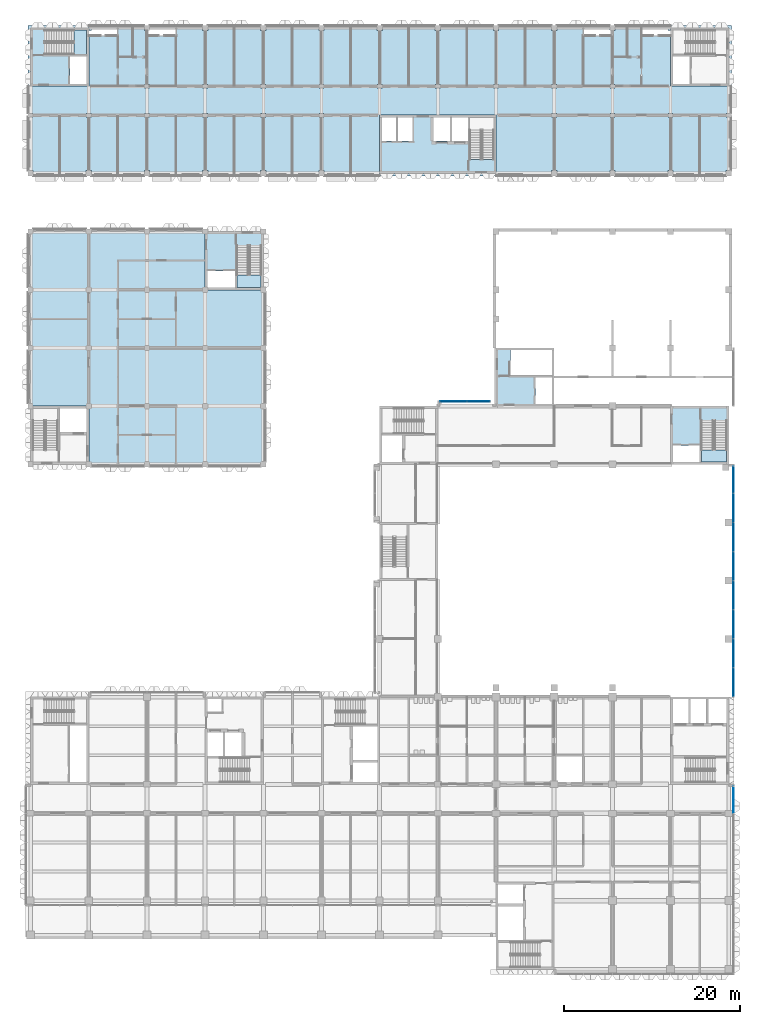
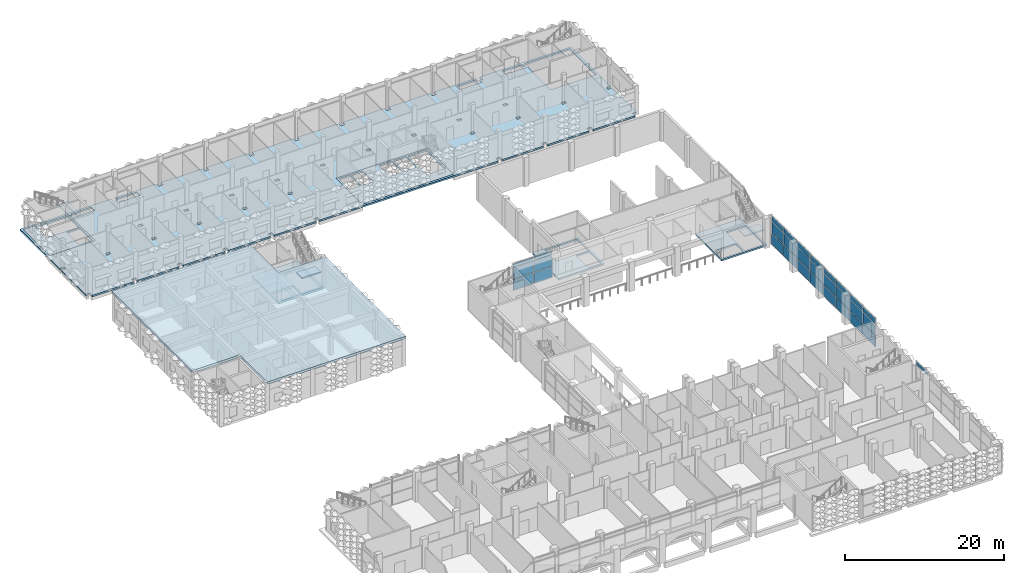
# One storey, part 24 of 87: 31 plates, 10 slabs, 6 elements without a shape of their own.
"""IFC4 building model written with IfcOpenShell, lengths in metres."""

from ifc_helpers import new_model, si_unit, direction, frame, origin, origin_2d, place, context, subcontext, project, spatial, polyline, rectangle, outline, extrude, material, layer, layer_set, type_object, element, aggregate, save


model = new_model("IFC4")

# Units and contexts
model_context = context("Model", 3, precision=1e-05, world=origin(), true_north=direction((0.0, 1.0)))
body_context = subcontext(model_context, "Body", "Model", "MODEL_VIEW")
ifc_project = project(units=[si_unit("LENGTHUNIT", "METRE"), si_unit("AREAUNIT", "SQUARE_METRE"), si_unit("VOLUMEUNIT", "CUBIC_METRE"), si_unit("PLANEANGLEUNIT", "RADIAN"), si_unit("MASSUNIT", "GRAM", prefix="KILO")], contexts=[model_context])

# Site, building, storey
site_placement = place(None, origin())
site = spatial("IfcSite", under=ifc_project, at=site_placement, CompositionType="ELEMENT")
building_placement = place(site_placement, origin())
building = spatial("IfcBuilding", under=site, at=building_placement, Name="Lantern Court Research Institute", CompositionType="ELEMENT")
storey_placement = place(building_placement, frame((0.0, 0.0, 5.39990234375)))
storey = spatial("IfcBuildingStorey", under=building, at=storey_placement, Name="L01", CompositionType="ELEMENT", Elevation=5.39990234375)

# Slab
ifc_material_1 = material(Name="Concrete C35/45", Category="concrete")
ifc_layer_1 = layer(ifc_material_1, 0.35009765625)
ifc_layer_set_1 = layer_set([ifc_layer_1], Name="Concrete C35/45")
slab_type_1 = type_object("IfcSlabType", Name="Clean room floor slab 350", PredefinedType="FLOOR", material=ifc_layer_set_1)
slab_1_placement = place(storey_placement, frame((0.0, 0.0, 4.150146484375)))
element("IfcSlab", 1, at=slab_1_placement, inside=storey, type_object=slab_type_1, Name="Clean room floor slab L02", PredefinedType="FLOOR", context=body_context, shape_type="SweptSolid", body=[
    extrude(outline(polyline([(19.800048828125, 76.199951171875), (19.800048828125, 69.300048828125), (26.699951171875, 69.300048828125), (26.699951171875, 49.199951171875), (6.60009765625, 49.199951171875), (6.60009765625, 56.10009765625), (-0.300048828125, 56.10009765625), (-0.300048828125, 76.199951171875), (19.800048828125, 76.199951171875)])), origin(), (0.0, 0.0, 1.0), 0.349853515625),
])

# Curtain wall, plates
ifc_material_2 = material(Name="Aluminium alloy 6063-T6", Category="aluminium")
curtain_wall_type_1 = type_object("IfcCurtainWallType", Name="Curtain wall 26200 x 4500 x 150 aluminium frame", PredefinedType="NOTDEFINED", material=ifc_material_2)
curtain_wall_1_placement = place(storey_placement, origin())
curtain_wall_1 = element("IfcCurtainWall", 2, at=curtain_wall_1_placement, inside=storey, type_object=curtain_wall_type_1, Name="Curtain wall CW017", PredefinedType="NOTDEFINED")
ifc_material_3 = material(Name="Fire-resisting insulated aluminium spandrel panel", Category="aluminium")
ifc_layer_2 = layer(ifc_material_3, 0.1201171875)
ifc_layer_set_2 = layer_set([ifc_layer_2], Name="Fire-resisting insulated aluminium spandrel panel")
plate_type_1 = type_object("IfcPlateType", Name="Fire-resisting spandrel panel 120 mm", PredefinedType="CURTAIN_PANEL", material=ifc_layer_set_2)
plate_1_placement = place(storey_placement, frame((79.72509765625, 24.77490234375, 0.10009765625), z_axis=(0.0, 0.0, 1.0), x_axis=(0.0, -1.0, 0.0)))
plate_1 = element("IfcPlate", 3, at=plate_1_placement, type_object=plate_type_1, Name="CW017 spandrel panel 1.1", PredefinedType="CURTAIN_PANEL", context=body_context, shape_type="SweptSolid", body=[
    extrude(rectangle(XDim=3.14990234375, YDim=0.1201171875, at=origin_2d()), origin(), (0.0, 0.0, 1.0), 1.64990234375),
])
plate_2_placement = place(storey_placement, frame((79.72509765625, 28.050048828125, 0.10009765625), z_axis=(0.0, 0.0, 1.0), x_axis=(0.0, -1.0, 0.0)))
plate_2 = element("IfcPlate", 4, at=plate_2_placement, type_object=plate_type_1, Name="CW017 spandrel panel 2.1", PredefinedType="CURTAIN_PANEL", context=body_context, shape_type="SweptSolid", body=[
    extrude(rectangle(XDim=3.199951171875, YDim=0.1201171875, at=origin_2d()), origin(), (0.0, 0.0, 1.0), 1.64990234375),
])
plate_3_placement = place(storey_placement, frame((79.72509765625, 31.35009765625, 0.10009765625), z_axis=(0.0, 0.0, 1.0), x_axis=(0.0, -1.0, 0.0)))
plate_3 = element("IfcPlate", 5, at=plate_3_placement, type_object=plate_type_1, Name="CW017 spandrel panel 3.1", PredefinedType="CURTAIN_PANEL", context=body_context, shape_type="SweptSolid", body=[
    extrude(rectangle(XDim=3.199951171875, YDim=0.1201171875, at=origin_2d()), origin(), (0.0, 0.0, 1.0), 1.64990234375),
])
plate_4_placement = place(storey_placement, frame((79.72509765625, 34.64990234375, 0.10009765625), z_axis=(0.0, 0.0, 1.0), x_axis=(0.0, -1.0, 0.0)))
plate_4 = element("IfcPlate", 6, at=plate_4_placement, type_object=plate_type_1, Name="CW017 spandrel panel 4.1", PredefinedType="CURTAIN_PANEL", context=body_context, shape_type="SweptSolid", body=[
    extrude(rectangle(XDim=3.199951171875, YDim=0.1201171875, at=origin_2d()), origin(), (0.0, 0.0, 1.0), 1.64990234375),
])
plate_5_placement = place(storey_placement, frame((79.72509765625, 37.949951171875, 0.10009765625), z_axis=(0.0, 0.0, 1.0), x_axis=(0.0, -1.0, 0.0)))
plate_5 = element("IfcPlate", 7, at=plate_5_placement, type_object=plate_type_1, Name="CW017 spandrel panel 5.1", PredefinedType="CURTAIN_PANEL", context=body_context, shape_type="SweptSolid", body=[
    extrude(rectangle(XDim=3.199951171875, YDim=0.1201171875, at=origin_2d()), origin(), (0.0, 0.0, 1.0), 1.64990234375),
])
plate_6_placement = place(storey_placement, frame((79.72509765625, 41.25, 0.10009765625), z_axis=(0.0, 0.0, 1.0), x_axis=(0.0, -1.0, 0.0)))
plate_6 = element("IfcPlate", 8, at=plate_6_placement, type_object=plate_type_1, Name="CW017 spandrel panel 6.1", PredefinedType="CURTAIN_PANEL", context=body_context, shape_type="SweptSolid", body=[
    extrude(rectangle(XDim=3.199951171875, YDim=0.1201171875, at=origin_2d()), origin(), (0.0, 0.0, 1.0), 1.64990234375),
])
plate_7_placement = place(storey_placement, frame((79.72509765625, 44.550048828125, 0.10009765625), z_axis=(0.0, 0.0, 1.0), x_axis=(0.0, -1.0, 0.0)))
plate_7 = element("IfcPlate", 9, at=plate_7_placement, type_object=plate_type_1, Name="CW017 spandrel panel 7.1", PredefinedType="CURTAIN_PANEL", context=body_context, shape_type="SweptSolid", body=[
    extrude(rectangle(XDim=3.199951171875, YDim=0.1201171875, at=origin_2d()), origin(), (0.0, 0.0, 1.0), 1.64990234375),
])
plate_8_placement = place(storey_placement, frame((79.72509765625, 47.72509765625, 0.10009765625), z_axis=(0.0, 0.0, 1.0), x_axis=(0.0, -1.0, 0.0)))
plate_8 = element("IfcPlate", 10, at=plate_8_placement, type_object=plate_type_1, Name="CW017 spandrel panel 8.1", PredefinedType="CURTAIN_PANEL", context=body_context, shape_type="SweptSolid", body=[
    extrude(rectangle(XDim=2.949951171875, YDim=0.1201171875, at=origin_2d()), origin(), (0.0, 0.0, 1.0), 1.64990234375),
])

ifc_material_4 = material(Name="Aluminium alloy 6063-T6", Category="aluminium")
curtain_wall_type_2 = type_object("IfcCurtainWallType", Name="Curtain wall 5800 x 4250 x 150 aluminium frame", PredefinedType="NOTDEFINED", material=ifc_material_4)
curtain_wall_2_placement = place(storey_placement, origin())
curtain_wall_2 = element("IfcCurtainWall", 11, at=curtain_wall_2_placement, inside=storey, type_object=curtain_wall_type_2, Name="Curtain wall CW018", PredefinedType="NOTDEFINED")
plate_9_placement = place(storey_placement, frame((47.97509765625, 56.625, 0.10009765625), z_axis=(0.0, 0.0, 1.0), x_axis=(1.0, 0.0, 0.0)))
plate_9 = element("IfcPlate", 12, at=plate_9_placement, type_object=plate_type_1, Name="CW018 spandrel panel 1.1", PredefinedType="CURTAIN_PANEL", context=body_context, shape_type="SweptSolid", body=[
    extrude(rectangle(XDim=2.949951171875, YDim=0.1201171875, at=origin_2d()), origin(), (0.0, 0.0, 1.0), 1.64990234375),
])
plate_10_placement = place(storey_placement, frame((50.824951171875, 56.625, 0.10009765625), z_axis=(0.0, 0.0, 1.0), x_axis=(1.0, 0.0, 0.0)))
plate_10 = element("IfcPlate", 13, at=plate_10_placement, type_object=plate_type_1, Name="CW018 spandrel panel 2.1", PredefinedType="CURTAIN_PANEL", context=body_context, shape_type="SweptSolid", body=[
    extrude(rectangle(XDim=2.550048828125, YDim=0.1201171875, at=origin_2d()), origin(), (0.0, 0.0, 1.0), 1.64990234375),
])

# Plate
ifc_material_5 = material(Name="Laminated low-emissivity glass", Category="glass")
ifc_layer_3 = layer(ifc_material_5, 0.028076171875)
ifc_layer_set_3 = layer_set([ifc_layer_3], Name="Laminated low-emissivity glass")
plate_type_2 = type_object("IfcPlateType", Name="Laminated low-emissivity unit 28 mm", PredefinedType="CURTAIN_PANEL", material=ifc_layer_set_3)
plate_11_placement = place(storey_placement, frame((79.72509765625, 24.77490234375, 1.85009765625), z_axis=(0.0, 0.0, 1.0), x_axis=(0.0, -1.0, 0.0)))
plate_11 = element("IfcPlate", 14, at=plate_11_placement, type_object=plate_type_2, Name="CW017 glazed panel 1.2", PredefinedType="CURTAIN_PANEL", context=body_context, shape_type="SweptSolid", body=[
    extrude(rectangle(XDim=3.14990234375, YDim=0.028076171875, at=origin_2d()), origin(), (0.0, 0.0, 1.0), 1.699951171875),
])

plate_12_placement = place(storey_placement, frame((79.72509765625, 24.77490234375, 3.650146484375), z_axis=(0.0, 0.0, 1.0), x_axis=(0.0, -1.0, 0.0)))
plate_12 = element("IfcPlate", 15, at=plate_12_placement, type_object=plate_type_2, Name="CW017 glazed panel 1.3", PredefinedType="CURTAIN_PANEL", context=body_context, shape_type="SweptSolid", body=[
    extrude(rectangle(XDim=3.14990234375, YDim=0.028076171875, at=origin_2d()), origin(), (0.0, 0.0, 1.0), 0.75),
])

plate_13_placement = place(storey_placement, frame((79.72509765625, 28.050048828125, 1.85009765625), z_axis=(0.0, 0.0, 1.0), x_axis=(0.0, -1.0, 0.0)))
plate_13 = element("IfcPlate", 16, at=plate_13_placement, type_object=plate_type_2, Name="CW017 glazed panel 2.2", PredefinedType="CURTAIN_PANEL", context=body_context, shape_type="SweptSolid", body=[
    extrude(rectangle(XDim=3.199951171875, YDim=0.028076171875, at=origin_2d()), origin(), (0.0, 0.0, 1.0), 1.699951171875),
])

plate_14_placement = place(storey_placement, frame((79.72509765625, 28.050048828125, 3.650146484375), z_axis=(0.0, 0.0, 1.0), x_axis=(0.0, -1.0, 0.0)))
plate_14 = element("IfcPlate", 17, at=plate_14_placement, type_object=plate_type_2, Name="CW017 glazed panel 2.3", PredefinedType="CURTAIN_PANEL", context=body_context, shape_type="SweptSolid", body=[
    extrude(rectangle(XDim=3.199951171875, YDim=0.028076171875, at=origin_2d()), origin(), (0.0, 0.0, 1.0), 0.75),
])

plate_15_placement = place(storey_placement, frame((79.72509765625, 31.35009765625, 1.85009765625), z_axis=(0.0, 0.0, 1.0), x_axis=(0.0, -1.0, 0.0)))
plate_15 = element("IfcPlate", 18, at=plate_15_placement, type_object=plate_type_2, Name="CW017 glazed panel 3.2", PredefinedType="CURTAIN_PANEL", context=body_context, shape_type="SweptSolid", body=[
    extrude(rectangle(XDim=3.199951171875, YDim=0.028076171875, at=origin_2d()), origin(), (0.0, 0.0, 1.0), 1.699951171875),
])

plate_16_placement = place(storey_placement, frame((79.72509765625, 31.35009765625, 3.650146484375), z_axis=(0.0, 0.0, 1.0), x_axis=(0.0, -1.0, 0.0)))
plate_16 = element("IfcPlate", 19, at=plate_16_placement, type_object=plate_type_2, Name="CW017 glazed panel 3.3", PredefinedType="CURTAIN_PANEL", context=body_context, shape_type="SweptSolid", body=[
    extrude(rectangle(XDim=3.199951171875, YDim=0.028076171875, at=origin_2d()), origin(), (0.0, 0.0, 1.0), 0.75),
])

plate_17_placement = place(storey_placement, frame((79.72509765625, 34.64990234375, 1.85009765625), z_axis=(0.0, 0.0, 1.0), x_axis=(0.0, -1.0, 0.0)))
plate_17 = element("IfcPlate", 20, at=plate_17_placement, type_object=plate_type_2, Name="CW017 glazed panel 4.2", PredefinedType="CURTAIN_PANEL", context=body_context, shape_type="SweptSolid", body=[
    extrude(rectangle(XDim=3.199951171875, YDim=0.028076171875, at=origin_2d()), origin(), (0.0, 0.0, 1.0), 1.699951171875),
])

plate_18_placement = place(storey_placement, frame((79.72509765625, 34.64990234375, 3.650146484375), z_axis=(0.0, 0.0, 1.0), x_axis=(0.0, -1.0, 0.0)))
plate_18 = element("IfcPlate", 21, at=plate_18_placement, type_object=plate_type_2, Name="CW017 glazed panel 4.3", PredefinedType="CURTAIN_PANEL", context=body_context, shape_type="SweptSolid", body=[
    extrude(rectangle(XDim=3.199951171875, YDim=0.028076171875, at=origin_2d()), origin(), (0.0, 0.0, 1.0), 0.75),
])

plate_19_placement = place(storey_placement, frame((79.72509765625, 37.949951171875, 1.85009765625), z_axis=(0.0, 0.0, 1.0), x_axis=(0.0, -1.0, 0.0)))
plate_19 = element("IfcPlate", 22, at=plate_19_placement, type_object=plate_type_2, Name="CW017 glazed panel 5.2", PredefinedType="CURTAIN_PANEL", context=body_context, shape_type="SweptSolid", body=[
    extrude(rectangle(XDim=3.199951171875, YDim=0.028076171875, at=origin_2d()), origin(), (0.0, 0.0, 1.0), 1.699951171875),
])

plate_20_placement = place(storey_placement, frame((79.72509765625, 37.949951171875, 3.650146484375), z_axis=(0.0, 0.0, 1.0), x_axis=(0.0, -1.0, 0.0)))
plate_20 = element("IfcPlate", 23, at=plate_20_placement, type_object=plate_type_2, Name="CW017 glazed panel 5.3", PredefinedType="CURTAIN_PANEL", context=body_context, shape_type="SweptSolid", body=[
    extrude(rectangle(XDim=3.199951171875, YDim=0.028076171875, at=origin_2d()), origin(), (0.0, 0.0, 1.0), 0.75),
])

plate_21_placement = place(storey_placement, frame((79.72509765625, 41.25, 1.85009765625), z_axis=(0.0, 0.0, 1.0), x_axis=(0.0, -1.0, 0.0)))
plate_21 = element("IfcPlate", 24, at=plate_21_placement, type_object=plate_type_2, Name="CW017 glazed panel 6.2", PredefinedType="CURTAIN_PANEL", context=body_context, shape_type="SweptSolid", body=[
    extrude(rectangle(XDim=3.199951171875, YDim=0.028076171875, at=origin_2d()), origin(), (0.0, 0.0, 1.0), 1.699951171875),
])

plate_22_placement = place(storey_placement, frame((79.72509765625, 41.25, 3.650146484375), z_axis=(0.0, 0.0, 1.0), x_axis=(0.0, -1.0, 0.0)))
plate_22 = element("IfcPlate", 25, at=plate_22_placement, type_object=plate_type_2, Name="CW017 glazed panel 6.3", PredefinedType="CURTAIN_PANEL", context=body_context, shape_type="SweptSolid", body=[
    extrude(rectangle(XDim=3.199951171875, YDim=0.028076171875, at=origin_2d()), origin(), (0.0, 0.0, 1.0), 0.75),
])

plate_23_placement = place(storey_placement, frame((79.72509765625, 44.550048828125, 1.85009765625), z_axis=(0.0, 0.0, 1.0), x_axis=(0.0, -1.0, 0.0)))
plate_23 = element("IfcPlate", 26, at=plate_23_placement, type_object=plate_type_2, Name="CW017 glazed panel 7.2", PredefinedType="CURTAIN_PANEL", context=body_context, shape_type="SweptSolid", body=[
    extrude(rectangle(XDim=3.199951171875, YDim=0.028076171875, at=origin_2d()), origin(), (0.0, 0.0, 1.0), 1.699951171875),
])

plate_24_placement = place(storey_placement, frame((79.72509765625, 44.550048828125, 3.650146484375), z_axis=(0.0, 0.0, 1.0), x_axis=(0.0, -1.0, 0.0)))
plate_24 = element("IfcPlate", 27, at=plate_24_placement, type_object=plate_type_2, Name="CW017 glazed panel 7.3", PredefinedType="CURTAIN_PANEL", context=body_context, shape_type="SweptSolid", body=[
    extrude(rectangle(XDim=3.199951171875, YDim=0.028076171875, at=origin_2d()), origin(), (0.0, 0.0, 1.0), 0.75),
])

plate_25_placement = place(storey_placement, frame((79.72509765625, 47.72509765625, 1.85009765625), z_axis=(0.0, 0.0, 1.0), x_axis=(0.0, -1.0, 0.0)))
plate_25 = element("IfcPlate", 28, at=plate_25_placement, type_object=plate_type_2, Name="CW017 glazed panel 8.2", PredefinedType="CURTAIN_PANEL", context=body_context, shape_type="SweptSolid", body=[
    extrude(rectangle(XDim=2.949951171875, YDim=0.028076171875, at=origin_2d()), origin(), (0.0, 0.0, 1.0), 1.699951171875),
])

plate_26_placement = place(storey_placement, frame((79.72509765625, 47.72509765625, 3.650146484375), z_axis=(0.0, 0.0, 1.0), x_axis=(0.0, -1.0, 0.0)))
plate_26 = element("IfcPlate", 29, at=plate_26_placement, type_object=plate_type_2, Name="CW017 glazed panel 8.3", PredefinedType="CURTAIN_PANEL", context=body_context, shape_type="SweptSolid", body=[
    extrude(rectangle(XDim=2.949951171875, YDim=0.028076171875, at=origin_2d()), origin(), (0.0, 0.0, 1.0), 0.75),
])

aggregate(curtain_wall_1, [plate_1, plate_11, plate_12, plate_2, plate_13, plate_14, plate_3, plate_15, plate_16, plate_4, plate_17, plate_18, plate_5, plate_19, plate_20, plate_6, plate_21, plate_22, plate_7, plate_23, plate_24, plate_8, plate_25, plate_26])

plate_27_placement = place(storey_placement, frame((47.97509765625, 56.625, 1.85009765625), z_axis=(0.0, 0.0, 1.0), x_axis=(1.0, 0.0, 0.0)))
plate_27 = element("IfcPlate", 30, at=plate_27_placement, type_object=plate_type_2, Name="CW018 glazed panel 1.2", PredefinedType="CURTAIN_PANEL", context=body_context, shape_type="SweptSolid", body=[
    extrude(rectangle(XDim=2.949951171875, YDim=0.028076171875, at=origin_2d()), origin(), (0.0, 0.0, 1.0), 1.699951171875),
])

plate_28_placement = place(storey_placement, frame((47.97509765625, 56.625, 3.650146484375), z_axis=(0.0, 0.0, 1.0), x_axis=(1.0, 0.0, 0.0)))
plate_28 = element("IfcPlate", 31, at=plate_28_placement, type_object=plate_type_2, Name="CW018 glazed panel 1.3", PredefinedType="CURTAIN_PANEL", context=body_context, shape_type="SweptSolid", body=[
    extrude(rectangle(XDim=2.949951171875, YDim=0.028076171875, at=origin_2d()), origin(), (0.0, 0.0, 1.0), 0.5),
])

plate_29_placement = place(storey_placement, frame((50.824951171875, 56.625, 1.85009765625), z_axis=(0.0, 0.0, 1.0), x_axis=(1.0, 0.0, 0.0)))
plate_29 = element("IfcPlate", 32, at=plate_29_placement, type_object=plate_type_2, Name="CW018 glazed panel 2.2", PredefinedType="CURTAIN_PANEL", context=body_context, shape_type="SweptSolid", body=[
    extrude(rectangle(XDim=2.550048828125, YDim=0.028076171875, at=origin_2d()), origin(), (0.0, 0.0, 1.0), 1.699951171875),
])

plate_30_placement = place(storey_placement, frame((50.824951171875, 56.625, 3.650146484375), z_axis=(0.0, 0.0, 1.0), x_axis=(1.0, 0.0, 0.0)))
plate_30 = element("IfcPlate", 33, at=plate_30_placement, type_object=plate_type_2, Name="CW018 glazed panel 2.3", PredefinedType="CURTAIN_PANEL", context=body_context, shape_type="SweptSolid", body=[
    extrude(rectangle(XDim=2.550048828125, YDim=0.028076171875, at=origin_2d()), origin(), (0.0, 0.0, 1.0), 0.5),
])

aggregate(curtain_wall_2, [plate_9, plate_27, plate_28, plate_10, plate_29, plate_30])

# Slabs
ifc_material_6 = material(Name="Concrete C35/45", Category="concrete")
ifc_layer_4 = layer(ifc_material_6, 0.25)
ifc_layer_set_4 = layer_set([ifc_layer_4], Name="Concrete C35/45")
slab_type_2 = type_object("IfcSlabType", Name="RC core floor slab 250", PredefinedType="FLOOR", material=ifc_layer_set_4)
slab_2_placement = place(storey_placement, frame((0.0, 0.0, -0.25)))
element("IfcSlab", 34, at=slab_2_placement, inside=storey, type_object=slab_type_2, Name="Floor of core WC-W", PredefinedType="FLOOR", context=body_context, shape_type="SweptSolid", body=[
    extrude(outline(polyline([(0.0, 92.39990234375), (6.60009765625, 92.39990234375), (6.60009765625, 99.0), (0.0, 99.0), (0.0, 92.39990234375)]), holes=[polyline([(1.60009765625, 96.0), (6.35009765625, 96.0), (6.35009765625, 98.75), (1.60009765625, 98.75), (1.60009765625, 96.0)]), polyline([(4.449951171875, 92.64990234375), (4.449951171875, 95.800048828125), (6.35009765625, 95.800048828125), (6.35009765625, 92.64990234375), (4.449951171875, 92.64990234375)])]), origin(), (0.0, 0.0, 1.0), 0.25),
])
slab_3_placement = place(storey_placement, frame((0.0, 0.0, -0.25)))
element("IfcSlab", 35, at=slab_3_placement, inside=storey, type_object=slab_type_2, Name="Floor of core WC-M", PredefinedType="FLOOR", context=body_context, shape_type="SweptSolid", body=[
    extrude(outline(polyline([(39.60009765625, 82.5), (52.800048828125, 82.5), (52.800048828125, 89.10009765625), (39.60009765625, 89.10009765625), (39.60009765625, 82.5)]), holes=[polyline([(52.550048828125, 84.10009765625), (52.550048828125, 88.85009765625), (49.800048828125, 88.85009765625), (49.800048828125, 84.10009765625), (52.550048828125, 84.10009765625)]), polyline([(47.800048828125, 86.14990234375), (49.60009765625, 86.14990234375), (49.60009765625, 88.85009765625), (47.800048828125, 88.85009765625), (47.800048828125, 86.14990234375)]), polyline([(45.699951171875, 86.14990234375), (47.60009765625, 86.14990234375), (47.60009765625, 88.85009765625), (45.699951171875, 88.85009765625), (45.699951171875, 86.14990234375)]), polyline([(43.300048828125, 88.85009765625), (43.300048828125, 86.14990234375), (41.675048828125, 86.14990234375), (41.675048828125, 88.85009765625), (43.300048828125, 88.85009765625)]), polyline([(41.47509765625, 88.85009765625), (41.47509765625, 86.14990234375), (39.85009765625, 86.14990234375), (39.85009765625, 88.85009765625), (41.47509765625, 88.85009765625)])]), origin(), (0.0, 0.0, 1.0), 0.25),
])
slab_4_placement = place(storey_placement, frame((0.0, 0.0, -0.25)))
element("IfcSlab", 36, at=slab_4_placement, inside=storey, type_object=slab_type_2, Name="Floor of core HC-B", PredefinedType="FLOOR", context=body_context, shape_type="SweptSolid", body=[
    extrude(outline(polyline([(72.60009765625, 49.5), (79.199951171875, 49.5), (79.199951171875, 56.10009765625), (72.60009765625, 56.10009765625), (72.60009765625, 49.5)]), holes=[polyline([(76.10009765625, 54.449951171875), (76.10009765625, 49.75), (78.949951171875, 49.75), (78.949951171875, 54.449951171875), (76.10009765625, 54.449951171875)]), polyline([(72.85009765625, 51.64990234375), (75.89990234375, 51.64990234375), (75.89990234375, 49.75), (72.85009765625, 49.75), (72.85009765625, 51.64990234375)])]), origin(), (0.0, 0.0, 1.0), 0.25),
])
slab_5_placement = place(storey_placement, frame((0.0, 0.0, -0.25)))
element("IfcSlab", 37, at=slab_5_placement, inside=storey, type_object=slab_type_2, Name="Floor of core TH-A", PredefinedType="FLOOR", context=body_context, shape_type="SweptSolid", body=[
    extrude(outline(polyline([(52.800048828125, 56.10009765625), (59.39990234375, 56.10009765625), (59.39990234375, 62.699951171875), (52.800048828125, 62.699951171875), (52.800048828125, 56.10009765625)]), holes=[polyline([(54.449951171875, 59.60009765625), (59.14990234375, 59.60009765625), (59.14990234375, 62.449951171875), (54.449951171875, 62.449951171875), (54.449951171875, 59.60009765625)]), polyline([(57.25, 56.35009765625), (57.25, 59.39990234375), (59.14990234375, 59.39990234375), (59.14990234375, 56.35009765625), (57.25, 56.35009765625)])]), origin(), (0.0, 0.0, 1.0), 0.25),
])
ifc_material_7 = material(Name="Concrete C35/45", Category="concrete")
ifc_layer_5 = layer(ifc_material_7, 0.35009765625)
ifc_layer_set_5 = layer_set([ifc_layer_5], Name="Concrete C35/45")
slab_type_3 = type_object("IfcSlabType", Name="RC core floor slab 350", PredefinedType="FLOOR", material=ifc_layer_set_5)
slab_6_placement = place(storey_placement, frame((0.0, 0.0, -0.349853515625)))
element("IfcSlab", 38, at=slab_6_placement, inside=storey, type_object=slab_type_3, Name="Floor of core CC-B", PredefinedType="FLOOR", context=body_context, shape_type="SweptSolid", body=[
    extrude(outline(polyline([(19.800048828125, 69.300048828125), (26.39990234375, 69.300048828125), (26.39990234375, 75.89990234375), (19.800048828125, 75.89990234375), (19.800048828125, 69.300048828125)]), holes=[polyline([(23.39990234375, 74.300048828125), (23.39990234375, 69.550048828125), (26.14990234375, 69.550048828125), (26.14990234375, 74.300048828125), (23.39990234375, 74.300048828125)]), polyline([(20.050048828125, 71.449951171875), (23.199951171875, 71.449951171875), (23.199951171875, 69.550048828125), (20.050048828125, 69.550048828125), (20.050048828125, 71.449951171875)])]), origin(), (0.0, 0.0, 1.0), 0.349853515625),
])
ifc_material_8 = material(Name="Concrete C35/45", Category="concrete")
ifc_layer_6 = layer(ifc_material_8, 0.25)
ifc_layer_set_6 = layer_set([ifc_layer_6], Name="Concrete C35/45")
slab_type_4 = type_object("IfcSlabType", Name="RC floor slab 250", PredefinedType="FLOOR", material=ifc_layer_set_6)
slab_7_placement = place(storey_placement, frame((0.0, 0.0, -0.25)))
element("IfcSlab", 39, at=slab_7_placement, inside=storey, type_object=slab_type_4, Name="Floor slab L01 Write-up and Seminar Wing", PredefinedType="FLOOR", context=body_context, shape_type="SweptSolid", body=[
    extrude(outline(polyline([(-0.300048828125, 89.300048828125), (0.300048828125, 89.300048828125), (0.300048828125, 88.89990234375), (-0.300048828125, 88.89990234375), (-0.300048828125, 82.800048828125), (0.300048828125, 82.800048828125), (0.300048828125, 82.199951171875), (6.300048828125, 82.199951171875), (6.300048828125, 82.800048828125), (6.89990234375, 82.800048828125), (6.89990234375, 82.199951171875), (12.89990234375, 82.199951171875), (12.89990234375, 82.800048828125), (13.5, 82.800048828125), (13.5, 82.199951171875), (19.5, 82.199951171875), (19.5, 82.800048828125), (20.10009765625, 82.800048828125), (20.10009765625, 82.199951171875), (26.10009765625, 82.199951171875), (26.10009765625, 82.800048828125), (26.699951171875, 82.800048828125), (26.699951171875, 82.199951171875), (32.699951171875, 82.199951171875), (32.699951171875, 82.800048828125), (33.300048828125, 82.800048828125), (33.300048828125, 82.199951171875), (59.10009765625, 82.199951171875), (59.10009765625, 82.800048828125), (59.699951171875, 82.800048828125), (59.699951171875, 82.199951171875), (65.699951171875, 82.199951171875), (65.699951171875, 82.800048828125), (66.300048828125, 82.800048828125), (66.300048828125, 82.199951171875), (72.300048828125, 82.199951171875), (72.300048828125, 82.800048828125), (72.89990234375, 82.800048828125), (72.89990234375, 82.199951171875), (78.89990234375, 82.199951171875), (78.89990234375, 82.800048828125), (79.5, 82.800048828125), (79.5, 88.89990234375), (78.89990234375, 88.89990234375), (78.89990234375, 89.300048828125), (79.5, 89.300048828125), (79.5, 99.0), (79.5, 99.300048828125), (66.300048828125, 99.300048828125), (66.300048828125, 98.699951171875), (65.945068359375, 98.699951171875), (65.945068359375, 98.155029296875), (62.7548828125, 98.155029296875), (62.7548828125, 99.0), (65.698974609375, 99.0), (65.699951171875, 98.699951171875), (65.699951171875, 99.300048828125), (59.699951171875, 99.300048828125), (59.699951171875, 98.699951171875), (59.10009765625, 98.699951171875), (59.10009765625, 99.300048828125), (53.10009765625, 99.300048828125), (53.10009765625, 98.699951171875), (52.5, 98.699951171875), (52.5, 99.300048828125), (46.5, 99.300048828125), (46.5, 98.699951171875), (45.89990234375, 98.699951171875), (45.89990234375, 99.300048828125), (39.89990234375, 99.300048828125), (39.89990234375, 98.699951171875), (39.300048828125, 98.699951171875), (39.300048828125, 99.300048828125), (33.300048828125, 99.300048828125), (33.300048828125, 98.699951171875), (32.699951171875, 98.699951171875), (32.699951171875, 99.300048828125), (26.699951171875, 99.300048828125), (26.699951171875, 98.699951171875), (26.10009765625, 98.699951171875), (26.10009765625, 99.300048828125), (20.10009765625, 99.300048828125), (20.10009765625, 98.699951171875), (19.5, 98.699951171875), (19.5, 99.300048828125), (13.5, 99.300048828125), (13.5, 98.699951171875), (13.5009765625, 99.0), (16.445068359375, 99.0), (16.445068359375, 98.155029296875), (13.2548828125, 98.155029296875), (13.2548828125, 98.699951171875), (12.89990234375, 98.699951171875), (12.89990234375, 99.300048828125), (-0.300048828125, 99.300048828125), (-0.300048828125, 99.0), (-0.300048828125, 89.300048828125)]), holes=[polyline([(72.60009765625, 99.0), (79.199951171875, 99.0), (79.199951171875, 92.39990234375), (72.60009765625, 92.39990234375), (72.60009765625, 98.155029296875), (69.35498046875, 98.155029296875), (69.35498046875, 99.0), (72.300048828125, 99.0), (72.300048828125, 98.699951171875), (72.60009765625, 98.699951171875), (72.60009765625, 99.0)]), polyline([(72.300048828125, 88.89990234375), (72.300048828125, 89.300048828125), (72.89990234375, 89.300048828125), (72.89990234375, 88.89990234375), (72.300048828125, 88.89990234375)]), polyline([(65.699951171875, 92.60009765625), (66.300048828125, 92.60009765625), (66.300048828125, 92.199951171875), (65.699951171875, 92.199951171875), (65.699951171875, 92.60009765625)]), polyline([(65.699951171875, 89.300048828125), (66.300048828125, 89.300048828125), (66.300048828125, 88.89990234375), (65.699951171875, 88.89990234375), (65.699951171875, 89.300048828125)]), polyline([(59.10009765625, 92.60009765625), (59.699951171875, 92.60009765625), (59.699951171875, 92.199951171875), (59.10009765625, 92.199951171875), (59.10009765625, 92.60009765625)]), polyline([(59.10009765625, 89.300048828125), (59.699951171875, 89.300048828125), (59.699951171875, 88.89990234375), (59.10009765625, 88.89990234375), (59.10009765625, 89.300048828125)]), polyline([(52.5, 92.60009765625), (53.10009765625, 92.60009765625), (53.10009765625, 92.199951171875), (52.5, 92.199951171875), (52.5, 92.60009765625)]), polyline([(39.60009765625, 89.10009765625), (52.800048828125, 89.10009765625), (52.800048828125, 82.5), (39.60009765625, 82.5), (39.60009765625, 89.10009765625)]), polyline([(45.89990234375, 92.60009765625), (46.5, 92.60009765625), (46.5, 92.199951171875), (45.89990234375, 92.199951171875), (45.89990234375, 92.60009765625)]), polyline([(39.300048828125, 92.199951171875), (39.300048828125, 92.60009765625), (39.89990234375, 92.60009765625), (39.89990234375, 92.199951171875), (39.300048828125, 92.199951171875)]), polyline([(32.699951171875, 89.300048828125), (33.300048828125, 89.300048828125), (33.300048828125, 88.89990234375), (32.699951171875, 88.89990234375), (32.699951171875, 89.300048828125)]), polyline([(32.699951171875, 92.199951171875), (32.699951171875, 92.60009765625), (33.300048828125, 92.60009765625), (33.300048828125, 92.199951171875), (32.699951171875, 92.199951171875)]), polyline([(26.10009765625, 92.60009765625), (26.699951171875, 92.60009765625), (26.699951171875, 92.199951171875), (26.10009765625, 92.199951171875), (26.10009765625, 92.60009765625)]), polyline([(26.10009765625, 89.300048828125), (26.699951171875, 89.300048828125), (26.699951171875, 88.89990234375), (26.10009765625, 88.89990234375), (26.10009765625, 89.300048828125)]), polyline([(19.5, 92.60009765625), (20.10009765625, 92.60009765625), (20.10009765625, 92.199951171875), (19.5, 92.199951171875), (19.5, 92.60009765625)]), polyline([(19.5, 89.300048828125), (20.10009765625, 89.300048828125), (20.10009765625, 88.89990234375), (19.5, 88.89990234375), (19.5, 89.300048828125)]), polyline([(12.89990234375, 89.300048828125), (13.5, 89.300048828125), (13.5, 88.89990234375), (12.89990234375, 88.89990234375), (12.89990234375, 89.300048828125)]), polyline([(12.89990234375, 92.199951171875), (12.89990234375, 92.60009765625), (13.5, 92.60009765625), (13.5, 92.199951171875), (12.89990234375, 92.199951171875)]), polyline([(6.300048828125, 89.300048828125), (6.89990234375, 89.300048828125), (6.89990234375, 88.89990234375), (6.300048828125, 88.89990234375), (6.300048828125, 89.300048828125)]), polyline([(0.0, 99.0), (6.60009765625, 99.0), (6.60009765625, 98.699951171875), (6.89990234375, 98.699951171875), (6.89990234375, 99.0), (9.844970703125, 99.0), (9.844970703125, 98.155029296875), (6.60009765625, 98.155029296875), (6.60009765625, 92.39990234375), (0.0, 92.39990234375), (0.0, 99.0)])]), origin(), (0.0, 0.0, 1.0), 0.25),
])

# Stair, slab
ifc_material_9 = material(Name="Concrete C40/50", Category="concrete")
stair_type_1 = type_object("IfcStairType", Name="RC half-turn stair 1300 wide, 4500 rise, 6100 shaft", PredefinedType="HALF_TURN_STAIR", material=ifc_material_9)
stair_1_placement = place(storey_placement, origin())
stair_1 = element("IfcStair", 40, at=stair_1_placement, inside=storey, type_object=stair_type_1, Name="L01 stair ST-W1", PredefinedType="HALF_TURN_STAIR")
ifc_material_10 = material(Name="Concrete C40/50", Category="concrete")
ifc_layer_7 = layer(ifc_material_10, 0.199951171875)
ifc_layer_set_7 = layer_set([ifc_layer_7], Name="Concrete C40/50")
slab_type_5 = type_object("IfcSlabType", Name="RC stair landing 200", PredefinedType="LANDING", material=ifc_layer_set_7)
slab_8_placement = place(storey_placement, frame((0.0, 0.0, 2.050048828125)))
slab_8 = element("IfcSlab", 41, at=slab_8_placement, type_object=slab_type_5, Name="ST-W1 landing 1", PredefinedType="LANDING", context=body_context, shape_type="SweptSolid", body=[
    extrude(outline(polyline([(4.909912109375, 96.0), (6.35009765625, 96.0), (6.35009765625, 98.75), (4.909912109375, 98.75), (4.909912109375, 96.0)])), origin(), (0.0, 0.0, 1.0), 0.199951171875),
])
aggregate(stair_1, [slab_8])

stair_2_placement = place(storey_placement, origin())
stair_2 = element("IfcStair", 42, at=stair_2_placement, inside=storey, type_object=stair_type_1, Name="L01 stair ST-C2", PredefinedType="HALF_TURN_STAIR")
slab_9_placement = place(storey_placement, frame((0.0, 0.0, 2.050048828125)))
slab_9 = element("IfcSlab", 43, at=slab_9_placement, type_object=slab_type_5, Name="ST-C2 landing 1", PredefinedType="LANDING", context=body_context, shape_type="SweptSolid", body=[
    extrude(outline(polyline([(23.39990234375, 70.989990234375), (23.39990234375, 69.550048828125), (26.14990234375, 69.550048828125), (26.14990234375, 70.989990234375), (23.39990234375, 70.989990234375)])), origin(), (0.0, 0.0, 1.0), 0.199951171875),
])
aggregate(stair_2, [slab_9])

ifc_material_11 = material(Name="Concrete C40/50", Category="concrete")
stair_type_2 = type_object("IfcStairType", Name="RC half-turn stair 1350 wide, 4500 rise, 6100 shaft", PredefinedType="HALF_TURN_STAIR", material=ifc_material_11)
stair_3_placement = place(storey_placement, origin())
stair_3 = element("IfcStair", 44, at=stair_3_placement, inside=storey, type_object=stair_type_2, Name="L01 stair ST-H2", PredefinedType="HALF_TURN_STAIR")
slab_10_placement = place(storey_placement, frame((0.0, 0.0, 2.050048828125)))
slab_10 = element("IfcSlab", 45, at=slab_10_placement, type_object=slab_type_5, Name="ST-H2 landing 1", PredefinedType="LANDING", context=body_context, shape_type="SweptSolid", body=[
    extrude(outline(polyline([(76.10009765625, 51.139892578125), (76.10009765625, 49.75), (78.949951171875, 49.75), (78.949951171875, 51.139892578125), (76.10009765625, 51.139892578125)])), origin(), (0.0, 0.0, 1.0), 0.199951171875),
])
aggregate(stair_3, [slab_10])

# Curtain wall, plate
ifc_material_12 = material(Name="Aluminium alloy 6063-T6", Category="aluminium")
curtain_wall_type_3 = type_object("IfcCurtainWallType", Name="Curtain wall 21250 x 4200 x 150 aluminium frame", PredefinedType="NOTDEFINED", material=ifc_material_12)
curtain_wall_3_placement = place(storey_placement, origin())
curtain_wall_3 = element("IfcCurtainWall", 46, at=curtain_wall_3_placement, inside=storey, type_object=curtain_wall_type_3, Name="Curtain wall CW032", PredefinedType="NOTDEFINED")
ifc_material_13 = material(Name="Laminated low-emissivity glass", Category="glass")
ifc_layer_8 = layer(ifc_material_13, 0.035888671875)
ifc_layer_set_8 = layer_set([ifc_layer_8], Name="Laminated low-emissivity glass")
plate_type_3 = type_object("IfcPlateType", Name="Solar control laminated unit 36 mm", PredefinedType="CURTAIN_PANEL", material=ifc_layer_set_8)
plate_31_placement = place(storey_placement, frame((79.72509765625, 11.43505859375, 3.6298828125), z_axis=(0.0, 0.0, 1.0), x_axis=(0.0, -1.0, 0.0)))
plate_31 = element("IfcPlate", 47, at=plate_31_placement, type_object=plate_type_3, Name="CW032 glazed panel 7.3", PredefinedType="CURTAIN_PANEL", context=body_context, shape_type="SweptSolid", body=[
    extrude(rectangle(XDim=3.010009765625, YDim=0.035888671875, at=origin_2d()), origin(), (0.0, 0.0, 1.0), 0.510009765625),
])
aggregate(curtain_wall_3, [plate_31])

save(model, "model.ifc")
